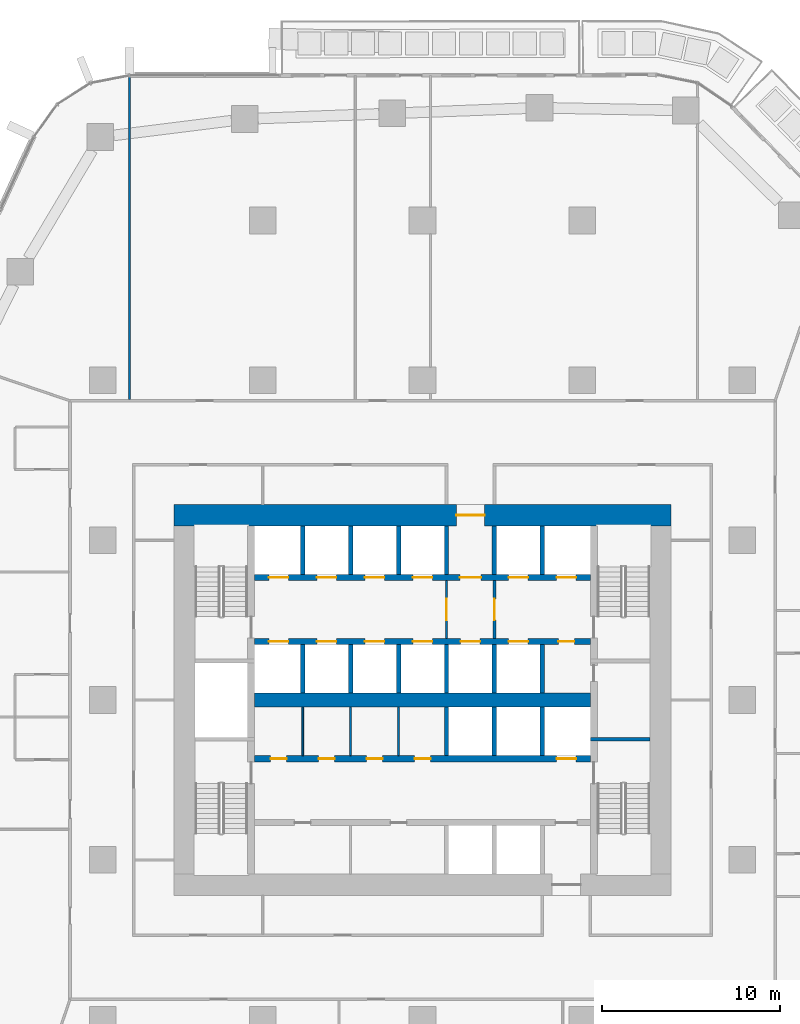
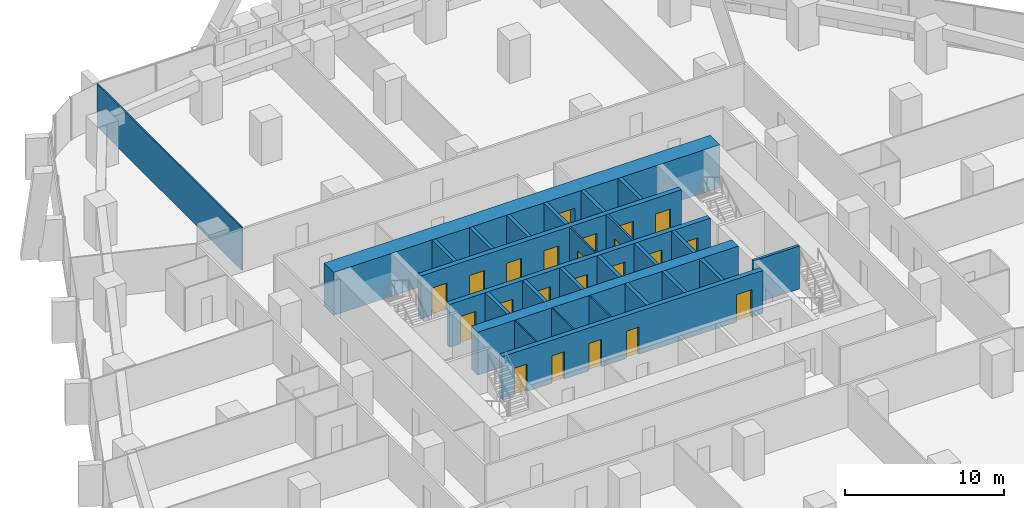
# One storey, part 15 of 26: 27 walls, 22 doors, 22 openings.
"""IFC4 building model written with IfcOpenShell, lengths in metres."""

from ifc_helpers import new_model, si_unit, direction, frame, frame_2d, origin, place, context, subcontext, project, spatial, rectangle, extrude, material, layer, layer_set, type_object, element, fill, save


model = new_model("IFC4")

# Units and contexts
model_context = context("Model", 3, precision=1e-05, world=origin(), true_north=direction((0.0, 1.0)))
body_context = subcontext(model_context, "Body", "Model", "MODEL_VIEW")
ifc_project = project(units=[si_unit("LENGTHUNIT", "METRE"), si_unit("AREAUNIT", "SQUARE_METRE"), si_unit("VOLUMEUNIT", "CUBIC_METRE"), si_unit("PLANEANGLEUNIT", "RADIAN"), si_unit("MASSUNIT", "GRAM", prefix="KILO")], contexts=[model_context])

# Site, building, storey
site_placement = place(None, origin())
site = spatial("IfcSite", under=ifc_project, at=site_placement, CompositionType="ELEMENT")
building_placement = place(site_placement, origin())
building = spatial("IfcBuilding", under=site, at=building_placement, Name="Dongbaek Canopy Tower", CompositionType="ELEMENT")
storey_placement = place(building_placement, frame((0.0, 0.0, 73.60009765625)))
storey = spatial("IfcBuildingStorey", under=building, at=storey_placement, Name="L14", CompositionType="ELEMENT", Elevation=73.60009765625)

# Wall
ifc_material_1 = material(Name="Concrete C60/75", Category="concrete")
ifc_layer_1 = layer(ifc_material_1, 0.800048828125)
ifc_layer_set_1 = layer_set([ifc_layer_1], Name="Core central wall 800 Concrete C60/75")
wall_type_1 = type_object("IfcWallType", Name="Core central wall 800 Concrete C60/75", PredefinedType="SHEAR", material=ifc_layer_set_1)
wall_1_placement = place(storey_placement, frame((-9.449951171875, 0.0, 0.0), z_axis=(0.0, 0.0, 1.0), x_axis=(1.0, 0.0, 0.0)))
element("IfcWall", 1, at=wall_1_placement, inside=storey, type_object=wall_type_1, Name="Core wall", PredefinedType="SHEAR", context=body_context, shape_type="SweptSolid", body=[
    extrude(rectangle(XDim=18.89990234375, YDim=0.800048828125, at=frame_2d((9.449951171875, 0.0))), origin(), (0.0, 0.0, 1.0), 3.2998046875),
])

# Wall, openings, doors
ifc_material_2 = material(Name="Concrete C60/75", Category="concrete")
ifc_layer_2 = layer(ifc_material_2, 0.35009765625)
ifc_layer_set_2 = layer_set([ifc_layer_2], Name="Core lobby wall 350 Concrete C60/75")
wall_type_2 = type_object("IfcWallType", Name="Core lobby wall 350 Concrete C60/75", PredefinedType="SHEAR", material=ifc_layer_set_2)
wall_2_placement = place(storey_placement, frame((-9.449951171875, 6.89990234375, 0.0), z_axis=(0.0, 0.0, 1.0), x_axis=(1.0, 0.0, 0.0)))
wall_2 = element("IfcWall", 2, at=wall_2_placement, inside=storey, type_object=wall_type_2, Name="Core wall", PredefinedType="SHEAR", context=body_context, shape_type="SweptSolid", body=[
    extrude(rectangle(XDim=18.89990234375, YDim=0.35009765625, at=frame_2d((9.449951171875, 0.0))), origin(), (0.0, 0.0, 1.0), 3.2998046875),
])
opening_1_placement = place(wall_2_placement, frame((0.800048828125, 0.0, 0.0)))
opening_1 = element("IfcOpeningElement", 3, at=opening_1_placement, cuts=wall_2, Name="Opening L14-D028", PredefinedType="OPENING", context=body_context, shape_type="SweptSolid", body=[
    extrude(rectangle(XDim=1.10009765625, YDim=2.10009765625, at=frame_2d((0.550048828125, 1.050048828125))), frame((0.0, 0.18505859375, 0.0), z_axis=(0.0, -1.0, 0.0), x_axis=(1.0, 0.0, 0.0)), (0.0, 0.0, 1.0), 0.3701171875),
])
opening_2_placement = place(wall_2_placement, frame((3.5, 0.0, 0.0)))
opening_2 = element("IfcOpeningElement", 4, at=opening_2_placement, cuts=wall_2, Name="Opening L14-D029", PredefinedType="OPENING", context=body_context, shape_type="SweptSolid", body=[
    extrude(rectangle(XDim=1.10009765625, YDim=2.10009765625, at=frame_2d((0.550048828125, 1.050048828125))), frame((0.0, 0.18505859375, 0.0), z_axis=(0.0, -1.0, 0.0), x_axis=(1.0, 0.0, 0.0)), (0.0, 0.0, 1.0), 0.3701171875),
])
opening_3_placement = place(wall_2_placement, frame((6.199951171875, 0.0, 0.0)))
opening_3 = element("IfcOpeningElement", 5, at=opening_3_placement, cuts=wall_2, Name="Opening L14-D030", PredefinedType="OPENING", context=body_context, shape_type="SweptSolid", body=[
    extrude(rectangle(XDim=1.10009765625, YDim=2.10009765625, at=frame_2d((0.550048828125, 1.050048828125))), frame((0.0, 0.18505859375, 0.0), z_axis=(0.0, -1.0, 0.0), x_axis=(1.0, 0.0, 0.0)), (0.0, 0.0, 1.0), 0.3701171875),
])
opening_4_placement = place(wall_2_placement, frame((8.89990234375, 0.0, 0.0)))
opening_4 = element("IfcOpeningElement", 6, at=opening_4_placement, cuts=wall_2, Name="Opening L14-D031", PredefinedType="OPENING", context=body_context, shape_type="SweptSolid", body=[
    extrude(rectangle(XDim=1.10009765625, YDim=2.10009765625, at=frame_2d((0.550048828125, 1.050048828125))), frame((0.0, 0.18505859375, 0.0), z_axis=(0.0, -1.0, 0.0), x_axis=(1.0, 0.0, 0.0)), (0.0, 0.0, 1.0), 0.3701171875),
])
opening_5_placement = place(wall_2_placement, frame((11.550048828125, 0.0, 0.0)))
opening_5 = element("IfcOpeningElement", 7, at=opening_5_placement, cuts=wall_2, Name="Opening L14-D033", PredefinedType="OPENING", context=body_context, shape_type="SweptSolid", body=[
    extrude(rectangle(XDim=1.199951171875, YDim=2.10009765625, at=frame_2d((0.60009765625, 1.050048828125))), frame((0.0, 0.18505859375, 0.0), z_axis=(0.0, -1.0, 0.0), x_axis=(1.0, 0.0, 0.0)), (0.0, 0.0, 1.0), 0.3701171875),
])
opening_6_placement = place(wall_2_placement, frame((14.300048828125, 0.0, 0.0)))
opening_6 = element("IfcOpeningElement", 8, at=opening_6_placement, cuts=wall_2, Name="Opening L14-D034", PredefinedType="OPENING", context=body_context, shape_type="SweptSolid", body=[
    extrude(rectangle(XDim=1.10009765625, YDim=2.10009765625, at=frame_2d((0.550048828125, 1.050048828125))), frame((0.0, 0.18505859375, 0.0), z_axis=(0.0, -1.0, 0.0), x_axis=(1.0, 0.0, 0.0)), (0.0, 0.0, 1.0), 0.3701171875),
])
opening_7_placement = place(wall_2_placement, frame((17.0, 0.0, 0.0)))
opening_7 = element("IfcOpeningElement", 9, at=opening_7_placement, cuts=wall_2, Name="Opening L14-D035", PredefinedType="OPENING", context=body_context, shape_type="SweptSolid", body=[
    extrude(rectangle(XDim=1.10009765625, YDim=2.10009765625, at=frame_2d((0.550048828125, 1.050048828125))), frame((0.0, 0.18505859375, 0.0), z_axis=(0.0, -1.0, 0.0), x_axis=(1.0, 0.0, 0.0)), (0.0, 0.0, 1.0), 0.3701171875),
])
ifc_material_3 = material(Name="Steel", Category="steel")
door_type_1 = type_object("IfcDoorType", Name="Fire lobby door 1200 x 2100", OperationType="SINGLE_SWING_LEFT", PredefinedType="DOOR", material=ifc_material_3)
door_1_placement = place(opening_5_placement, origin())
door_1 = element("IfcDoor", 10, at=door_1_placement, inside=storey, type_object=door_type_1, Name="Door L14-D033", OperationType="SINGLE_SWING_LEFT", OverallHeight=2.10009765625, OverallWidth=1.199951171875, PredefinedType="DOOR", context=body_context, shape_type="SweptSolid", body=[
    extrude(rectangle(XDim=1.199951171875, YDim=2.10009765625, at=frame_2d((0.60009765625, 1.050048828125))), frame((0.0, 0.02490234375, 0.0), z_axis=(0.0, -1.0, 0.0), x_axis=(1.0, 0.0, 0.0)), (0.0, 0.0, 1.0), 0.050048828125),
])
fill(opening_5, door_1)
ifc_material_4 = material(Name="Stainless steel", Category="steel")
door_type_2 = type_object("IfcDoorType", Name="Lift landing door 1100 x 2100", OperationType="DOUBLE_DOOR_SLIDING", PredefinedType="DOOR", material=ifc_material_4)
door_2_placement = place(opening_1_placement, origin())
door_2 = element("IfcDoor", 11, at=door_2_placement, inside=storey, type_object=door_type_2, Name="Landing door LR1", OperationType="DOUBLE_DOOR_SLIDING", OverallHeight=2.10009765625, OverallWidth=1.10009765625, PredefinedType="DOOR", context=body_context, shape_type="SweptSolid", body=[
    extrude(rectangle(XDim=1.10009765625, YDim=2.10009765625, at=frame_2d((0.550048828125, 1.050048828125))), frame((0.0, 0.02490234375, 0.0), z_axis=(0.0, -1.0, 0.0), x_axis=(1.0, 0.0, 0.0)), (0.0, 0.0, 1.0), 0.050048828125),
])
fill(opening_1, door_2)
door_3_placement = place(opening_2_placement, origin())
door_3 = element("IfcDoor", 12, at=door_3_placement, inside=storey, type_object=door_type_2, Name="Landing door LR2", OperationType="DOUBLE_DOOR_SLIDING", OverallHeight=2.10009765625, OverallWidth=1.10009765625, PredefinedType="DOOR", context=body_context, shape_type="SweptSolid", body=[
    extrude(rectangle(XDim=1.10009765625, YDim=2.10009765625, at=frame_2d((0.550048828125, 1.050048828125))), frame((0.0, 0.02490234375, 0.0), z_axis=(0.0, -1.0, 0.0), x_axis=(1.0, 0.0, 0.0)), (0.0, 0.0, 1.0), 0.050048828125),
])
fill(opening_2, door_3)
door_4_placement = place(opening_3_placement, origin())
door_4 = element("IfcDoor", 13, at=door_4_placement, inside=storey, type_object=door_type_2, Name="Landing door LR3", OperationType="DOUBLE_DOOR_SLIDING", OverallHeight=2.10009765625, OverallWidth=1.10009765625, PredefinedType="DOOR", context=body_context, shape_type="SweptSolid", body=[
    extrude(rectangle(XDim=1.10009765625, YDim=2.10009765625, at=frame_2d((0.550048828125, 1.050048828125))), frame((0.0, 0.02490234375, 0.0), z_axis=(0.0, -1.0, 0.0), x_axis=(1.0, 0.0, 0.0)), (0.0, 0.0, 1.0), 0.050048828125),
])
fill(opening_3, door_4)
door_5_placement = place(opening_4_placement, origin())
door_5 = element("IfcDoor", 14, at=door_5_placement, inside=storey, type_object=door_type_2, Name="Landing door LR4", OperationType="DOUBLE_DOOR_SLIDING", OverallHeight=2.10009765625, OverallWidth=1.10009765625, PredefinedType="DOOR", context=body_context, shape_type="SweptSolid", body=[
    extrude(rectangle(XDim=1.10009765625, YDim=2.10009765625, at=frame_2d((0.550048828125, 1.050048828125))), frame((0.0, 0.02490234375, 0.0), z_axis=(0.0, -1.0, 0.0), x_axis=(1.0, 0.0, 0.0)), (0.0, 0.0, 1.0), 0.050048828125),
])
fill(opening_4, door_5)
door_6_placement = place(opening_6_placement, origin())
door_6 = element("IfcDoor", 15, at=door_6_placement, inside=storey, type_object=door_type_2, Name="Landing door FF1", OperationType="DOUBLE_DOOR_SLIDING", OverallHeight=2.10009765625, OverallWidth=1.10009765625, PredefinedType="DOOR", context=body_context, shape_type="SweptSolid", body=[
    extrude(rectangle(XDim=1.10009765625, YDim=2.10009765625, at=frame_2d((0.550048828125, 1.050048828125))), frame((0.0, 0.02490234375, 0.0), z_axis=(0.0, -1.0, 0.0), x_axis=(1.0, 0.0, 0.0)), (0.0, 0.0, 1.0), 0.050048828125),
])
fill(opening_6, door_6)
door_7_placement = place(opening_7_placement, origin())
door_7 = element("IfcDoor", 16, at=door_7_placement, inside=storey, type_object=door_type_2, Name="Landing door FF2", OperationType="DOUBLE_DOOR_SLIDING", OverallHeight=2.10009765625, OverallWidth=1.10009765625, PredefinedType="DOOR", context=body_context, shape_type="SweptSolid", body=[
    extrude(rectangle(XDim=1.10009765625, YDim=2.10009765625, at=frame_2d((0.550048828125, 1.050048828125))), frame((0.0, 0.02490234375, 0.0), z_axis=(0.0, -1.0, 0.0), x_axis=(1.0, 0.0, 0.0)), (0.0, 0.0, 1.0), 0.050048828125),
])
fill(opening_7, door_7)

wall_3_placement = place(storey_placement, frame((9.449951171875, 3.300048828125, 0.0), z_axis=(0.0, 0.0, 1.0), x_axis=(-1.0, 0.0, 0.0)))
wall_3 = element("IfcWall", 17, at=wall_3_placement, inside=storey, type_object=wall_type_2, Name="Core wall", PredefinedType="SHEAR", context=body_context, shape_type="SweptSolid", body=[
    extrude(rectangle(XDim=18.89990234375, YDim=0.35009765625, at=frame_2d((9.449951171875, 0.0))), origin(), (0.0, 0.0, 1.0), 3.2998046875),
])
opening_8_placement = place(wall_3_placement, frame((17.0, 0.0, 0.0)))
opening_8 = element("IfcOpeningElement", 18, at=opening_8_placement, cuts=wall_3, Name="Opening L14-D036", PredefinedType="OPENING", context=body_context, shape_type="SweptSolid", body=[
    extrude(rectangle(XDim=1.10009765625, YDim=2.10009765625, at=frame_2d((0.550048828125, 1.050048828125))), frame((0.0, 0.18505859375, 0.0), z_axis=(0.0, -1.0, 0.0), x_axis=(1.0, 0.0, 0.0)), (0.0, 0.0, 1.0), 0.3701171875),
])
opening_9_placement = place(wall_3_placement, frame((14.300048828125, 0.0, 0.0)))
opening_9 = element("IfcOpeningElement", 19, at=opening_9_placement, cuts=wall_3, Name="Opening L14-D037", PredefinedType="OPENING", context=body_context, shape_type="SweptSolid", body=[
    extrude(rectangle(XDim=1.10009765625, YDim=2.10009765625, at=frame_2d((0.550048828125, 1.050048828125))), frame((0.0, 0.18505859375, 0.0), z_axis=(0.0, -1.0, 0.0), x_axis=(1.0, 0.0, 0.0)), (0.0, 0.0, 1.0), 0.3701171875),
])
opening_10_placement = place(wall_3_placement, frame((11.60009765625, 0.0, 0.0)))
opening_10 = element("IfcOpeningElement", 20, at=opening_10_placement, cuts=wall_3, Name="Opening L14-D038", PredefinedType="OPENING", context=body_context, shape_type="SweptSolid", body=[
    extrude(rectangle(XDim=1.10009765625, YDim=2.10009765625, at=frame_2d((0.550048828125, 1.050048828125))), frame((0.0, 0.18505859375, 0.0), z_axis=(0.0, -1.0, 0.0), x_axis=(1.0, 0.0, 0.0)), (0.0, 0.0, 1.0), 0.3701171875),
])
opening_11_placement = place(wall_3_placement, frame((8.89990234375, 0.0, 0.0)))
opening_11 = element("IfcOpeningElement", 21, at=opening_11_placement, cuts=wall_3, Name="Opening L14-D039", PredefinedType="OPENING", context=body_context, shape_type="SweptSolid", body=[
    extrude(rectangle(XDim=1.10009765625, YDim=2.10009765625, at=frame_2d((0.550048828125, 1.050048828125))), frame((0.0, 0.18505859375, 0.0), z_axis=(0.0, -1.0, 0.0), x_axis=(1.0, 0.0, 0.0)), (0.0, 0.0, 1.0), 0.3701171875),
])
opening_12_placement = place(wall_3_placement, frame((6.199951171875, 0.0, 0.0)))
opening_12 = element("IfcOpeningElement", 22, at=opening_12_placement, cuts=wall_3, Name="Opening L14-D040", PredefinedType="OPENING", context=body_context, shape_type="SweptSolid", body=[
    extrude(rectangle(XDim=1.10009765625, YDim=2.10009765625, at=frame_2d((0.550048828125, 1.050048828125))), frame((0.0, 0.18505859375, 0.0), z_axis=(0.0, -1.0, 0.0), x_axis=(1.0, 0.0, 0.0)), (0.0, 0.0, 1.0), 0.3701171875),
])
opening_13_placement = place(wall_3_placement, frame((3.5, 0.0, 0.0)))
opening_13 = element("IfcOpeningElement", 23, at=opening_13_placement, cuts=wall_3, Name="Opening L14-D041", PredefinedType="OPENING", context=body_context, shape_type="SweptSolid", body=[
    extrude(rectangle(XDim=1.10009765625, YDim=2.10009765625, at=frame_2d((0.550048828125, 1.050048828125))), frame((0.0, 0.18505859375, 0.0), z_axis=(0.0, -1.0, 0.0), x_axis=(1.0, 0.0, 0.0)), (0.0, 0.0, 1.0), 0.3701171875),
])
opening_14_placement = place(wall_3_placement, frame((0.89990234375, 0.0, 0.0)))
opening_14 = element("IfcOpeningElement", 24, at=opening_14_placement, cuts=wall_3, Name="Opening L14-D042", PredefinedType="OPENING", context=body_context, shape_type="SweptSolid", body=[
    extrude(rectangle(XDim=0.89990234375, YDim=2.10009765625, at=frame_2d((0.449951171875, 1.050048828125))), frame((0.0, 0.18505859375, 0.0), z_axis=(0.0, -1.0, 0.0), x_axis=(1.0, 0.0, 0.0)), (0.0, 0.0, 1.0), 0.3701171875),
])
ifc_material_5 = material(Name="Steel", Category="steel")
door_type_3 = type_object("IfcDoorType", Name="Core room door 900 x 2100", OperationType="SINGLE_SWING_LEFT", PredefinedType="DOOR", material=ifc_material_5)
door_8_placement = place(opening_14_placement, origin())
door_8 = element("IfcDoor", 25, at=door_8_placement, inside=storey, type_object=door_type_3, Name="Door L14-D042", OperationType="SINGLE_SWING_LEFT", OverallHeight=2.10009765625, OverallWidth=0.89990234375, PredefinedType="DOOR", context=body_context, shape_type="SweptSolid", body=[
    extrude(rectangle(XDim=0.89990234375, YDim=2.10009765625, at=frame_2d((0.449951171875, 1.050048828125))), frame((0.0, 0.02490234375, 0.0), z_axis=(0.0, -1.0, 0.0), x_axis=(1.0, 0.0, 0.0)), (0.0, 0.0, 1.0), 0.050048828125),
])
fill(opening_14, door_8)
door_9_placement = place(opening_8_placement, origin())
door_9 = element("IfcDoor", 26, at=door_9_placement, inside=storey, type_object=door_type_2, Name="Landing door LR5", OperationType="DOUBLE_DOOR_SLIDING", OverallHeight=2.10009765625, OverallWidth=1.10009765625, PredefinedType="DOOR", context=body_context, shape_type="SweptSolid", body=[
    extrude(rectangle(XDim=1.10009765625, YDim=2.10009765625, at=frame_2d((0.550048828125, 1.050048828125))), frame((0.0, 0.02490234375, 0.0), z_axis=(0.0, -1.0, 0.0), x_axis=(1.0, 0.0, 0.0)), (0.0, 0.0, 1.0), 0.050048828125),
])
fill(opening_8, door_9)
door_10_placement = place(opening_9_placement, origin())
door_10 = element("IfcDoor", 27, at=door_10_placement, inside=storey, type_object=door_type_2, Name="Landing door LR6", OperationType="DOUBLE_DOOR_SLIDING", OverallHeight=2.10009765625, OverallWidth=1.10009765625, PredefinedType="DOOR", context=body_context, shape_type="SweptSolid", body=[
    extrude(rectangle(XDim=1.10009765625, YDim=2.10009765625, at=frame_2d((0.550048828125, 1.050048828125))), frame((0.0, 0.02490234375, 0.0), z_axis=(0.0, -1.0, 0.0), x_axis=(1.0, 0.0, 0.0)), (0.0, 0.0, 1.0), 0.050048828125),
])
fill(opening_9, door_10)
door_11_placement = place(opening_10_placement, origin())
door_11 = element("IfcDoor", 28, at=door_11_placement, inside=storey, type_object=door_type_2, Name="Landing door LR7", OperationType="DOUBLE_DOOR_SLIDING", OverallHeight=2.10009765625, OverallWidth=1.10009765625, PredefinedType="DOOR", context=body_context, shape_type="SweptSolid", body=[
    extrude(rectangle(XDim=1.10009765625, YDim=2.10009765625, at=frame_2d((0.550048828125, 1.050048828125))), frame((0.0, 0.02490234375, 0.0), z_axis=(0.0, -1.0, 0.0), x_axis=(1.0, 0.0, 0.0)), (0.0, 0.0, 1.0), 0.050048828125),
])
fill(opening_10, door_11)
door_12_placement = place(opening_11_placement, origin())
door_12 = element("IfcDoor", 29, at=door_12_placement, inside=storey, type_object=door_type_2, Name="Landing door LR8", OperationType="DOUBLE_DOOR_SLIDING", OverallHeight=2.10009765625, OverallWidth=1.10009765625, PredefinedType="DOOR", context=body_context, shape_type="SweptSolid", body=[
    extrude(rectangle(XDim=1.10009765625, YDim=2.10009765625, at=frame_2d((0.550048828125, 1.050048828125))), frame((0.0, 0.02490234375, 0.0), z_axis=(0.0, -1.0, 0.0), x_axis=(1.0, 0.0, 0.0)), (0.0, 0.0, 1.0), 0.050048828125),
])
fill(opening_11, door_12)
door_13_placement = place(opening_12_placement, origin())
door_13 = element("IfcDoor", 30, at=door_13_placement, inside=storey, type_object=door_type_2, Name="Landing door SV1", OperationType="DOUBLE_DOOR_SLIDING", OverallHeight=2.10009765625, OverallWidth=1.10009765625, PredefinedType="DOOR", context=body_context, shape_type="SweptSolid", body=[
    extrude(rectangle(XDim=1.10009765625, YDim=2.10009765625, at=frame_2d((0.550048828125, 1.050048828125))), frame((0.0, 0.02490234375, 0.0), z_axis=(0.0, -1.0, 0.0), x_axis=(1.0, 0.0, 0.0)), (0.0, 0.0, 1.0), 0.050048828125),
])
fill(opening_12, door_13)
door_14_placement = place(opening_13_placement, origin())
door_14 = element("IfcDoor", 31, at=door_14_placement, inside=storey, type_object=door_type_2, Name="Landing door FF3", OperationType="DOUBLE_DOOR_SLIDING", OverallHeight=2.10009765625, OverallWidth=1.10009765625, PredefinedType="DOOR", context=body_context, shape_type="SweptSolid", body=[
    extrude(rectangle(XDim=1.10009765625, YDim=2.10009765625, at=frame_2d((0.550048828125, 1.050048828125))), frame((0.0, 0.02490234375, 0.0), z_axis=(0.0, -1.0, 0.0), x_axis=(1.0, 0.0, 0.0)), (0.0, 0.0, 1.0), 0.050048828125),
])
fill(opening_13, door_14)

wall_4_placement = place(storey_placement, frame((-9.449951171875, -3.300048828125, 0.0), z_axis=(0.0, 0.0, 1.0), x_axis=(1.0, 0.0, 0.0)))
wall_4 = element("IfcWall", 32, at=wall_4_placement, inside=storey, type_object=wall_type_2, Name="Core wall", PredefinedType="SHEAR", context=body_context, shape_type="SweptSolid", body=[
    extrude(rectangle(XDim=18.89990234375, YDim=0.35009765625, at=frame_2d((9.449951171875, 0.0))), origin(), (0.0, 0.0, 1.0), 3.2998046875),
])
opening_15_placement = place(wall_4_placement, frame((17.0, 0.0, 0.0)))
opening_15 = element("IfcOpeningElement", 33, at=opening_15_placement, cuts=wall_4, Name="Opening L14-D043", PredefinedType="OPENING", context=body_context, shape_type="SweptSolid", body=[
    extrude(rectangle(XDim=1.10009765625, YDim=2.10009765625, at=frame_2d((0.550048828125, 1.050048828125))), frame((0.0, 0.18505859375, 0.0), z_axis=(0.0, -1.0, 0.0), x_axis=(1.0, 0.0, 0.0)), (0.0, 0.0, 1.0), 0.3701171875),
])
opening_16_placement = place(wall_4_placement, frame((0.89990234375, 0.0, 0.0)))
opening_16 = element("IfcOpeningElement", 34, at=opening_16_placement, cuts=wall_4, Name="Opening L14-D046", PredefinedType="OPENING", context=body_context, shape_type="SweptSolid", body=[
    extrude(rectangle(XDim=0.89990234375, YDim=2.10009765625, at=frame_2d((0.449951171875, 1.050048828125))), frame((0.0, 0.18505859375, 0.0), z_axis=(0.0, -1.0, 0.0), x_axis=(1.0, 0.0, 0.0)), (0.0, 0.0, 1.0), 0.3701171875),
])
opening_17_placement = place(wall_4_placement, frame((3.60009765625, 0.0, 0.0)))
opening_17 = element("IfcOpeningElement", 35, at=opening_17_placement, cuts=wall_4, Name="Opening L14-D047", PredefinedType="OPENING", context=body_context, shape_type="SweptSolid", body=[
    extrude(rectangle(XDim=0.89990234375, YDim=2.10009765625, at=frame_2d((0.449951171875, 1.050048828125))), frame((0.0, 0.18505859375, 0.0), z_axis=(0.0, -1.0, 0.0), x_axis=(1.0, 0.0, 0.0)), (0.0, 0.0, 1.0), 0.3701171875),
])
opening_18_placement = place(wall_4_placement, frame((6.300048828125, 0.0, 0.0)))
opening_18 = element("IfcOpeningElement", 36, at=opening_18_placement, cuts=wall_4, Name="Opening L14-D048", PredefinedType="OPENING", context=body_context, shape_type="SweptSolid", body=[
    extrude(rectangle(XDim=0.89990234375, YDim=2.10009765625, at=frame_2d((0.449951171875, 1.050048828125))), frame((0.0, 0.18505859375, 0.0), z_axis=(0.0, -1.0, 0.0), x_axis=(1.0, 0.0, 0.0)), (0.0, 0.0, 1.0), 0.3701171875),
])
opening_19_placement = place(wall_4_placement, frame((9.0, 0.0, 0.0)))
opening_19 = element("IfcOpeningElement", 37, at=opening_19_placement, cuts=wall_4, Name="Opening L14-D049", PredefinedType="OPENING", context=body_context, shape_type="SweptSolid", body=[
    extrude(rectangle(XDim=0.89990234375, YDim=2.10009765625, at=frame_2d((0.449951171875, 1.050048828125))), frame((0.0, 0.18505859375, 0.0), z_axis=(0.0, -1.0, 0.0), x_axis=(1.0, 0.0, 0.0)), (0.0, 0.0, 1.0), 0.3701171875),
])
door_15_placement = place(opening_16_placement, origin())
door_15 = element("IfcDoor", 38, at=door_15_placement, inside=storey, type_object=door_type_3, Name="Door L14-D046", OperationType="SINGLE_SWING_RIGHT", OverallHeight=2.10009765625, OverallWidth=0.89990234375, PredefinedType="DOOR", context=body_context, shape_type="SweptSolid", body=[
    extrude(rectangle(XDim=0.89990234375, YDim=2.10009765625, at=frame_2d((0.449951171875, 1.050048828125))), frame((0.0, 0.02490234375, 0.0), z_axis=(0.0, -1.0, 0.0), x_axis=(1.0, 0.0, 0.0)), (0.0, 0.0, 1.0), 0.050048828125),
])
fill(opening_16, door_15)
door_16_placement = place(opening_17_placement, origin())
door_16 = element("IfcDoor", 39, at=door_16_placement, inside=storey, type_object=door_type_3, Name="Door L14-D047", OperationType="SINGLE_SWING_LEFT", OverallHeight=2.10009765625, OverallWidth=0.89990234375, PredefinedType="DOOR", context=body_context, shape_type="SweptSolid", body=[
    extrude(rectangle(XDim=0.89990234375, YDim=2.10009765625, at=frame_2d((0.449951171875, 1.050048828125))), frame((0.0, 0.02490234375, 0.0), z_axis=(0.0, -1.0, 0.0), x_axis=(1.0, 0.0, 0.0)), (0.0, 0.0, 1.0), 0.050048828125),
])
fill(opening_17, door_16)
door_17_placement = place(opening_18_placement, origin())
door_17 = element("IfcDoor", 40, at=door_17_placement, inside=storey, type_object=door_type_3, Name="Door L14-D048", OperationType="SINGLE_SWING_RIGHT", OverallHeight=2.10009765625, OverallWidth=0.89990234375, PredefinedType="DOOR", context=body_context, shape_type="SweptSolid", body=[
    extrude(rectangle(XDim=0.89990234375, YDim=2.10009765625, at=frame_2d((0.449951171875, 1.050048828125))), frame((0.0, 0.02490234375, 0.0), z_axis=(0.0, -1.0, 0.0), x_axis=(1.0, 0.0, 0.0)), (0.0, 0.0, 1.0), 0.050048828125),
])
fill(opening_18, door_17)
door_18_placement = place(opening_19_placement, origin())
door_18 = element("IfcDoor", 41, at=door_18_placement, inside=storey, type_object=door_type_3, Name="Door L14-D049", OperationType="SINGLE_SWING_LEFT", OverallHeight=2.10009765625, OverallWidth=0.89990234375, PredefinedType="DOOR", context=body_context, shape_type="SweptSolid", body=[
    extrude(rectangle(XDim=0.89990234375, YDim=2.10009765625, at=frame_2d((0.449951171875, 1.050048828125))), frame((0.0, 0.02490234375, 0.0), z_axis=(0.0, -1.0, 0.0), x_axis=(1.0, 0.0, 0.0)), (0.0, 0.0, 1.0), 0.050048828125),
])
fill(opening_19, door_18)
door_19_placement = place(opening_15_placement, origin())
door_19 = element("IfcDoor", 42, at=door_19_placement, inside=storey, type_object=door_type_2, Name="Landing door SV2", OperationType="DOUBLE_DOOR_SLIDING", OverallHeight=2.10009765625, OverallWidth=1.10009765625, PredefinedType="DOOR", context=body_context, shape_type="SweptSolid", body=[
    extrude(rectangle(XDim=1.10009765625, YDim=2.10009765625, at=frame_2d((0.550048828125, 1.050048828125))), frame((0.0, 0.02490234375, 0.0), z_axis=(0.0, -1.0, 0.0), x_axis=(1.0, 0.0, 0.0)), (0.0, 0.0, 1.0), 0.050048828125),
])
fill(opening_15, door_19)

# Wall, opening, door
ifc_material_6 = material(Name="Concrete C60/75", Category="concrete")
ifc_layer_3 = layer(ifc_material_6, 1.199951171875)
ifc_layer_set_3 = layer_set([ifc_layer_3], Name="Core outer wall 1200 Concrete C60/75")
wall_type_3 = type_object("IfcWallType", Name="Core outer wall 1200 Concrete C60/75", PredefinedType="SHEAR", material=ifc_layer_set_3)
wall_5_placement = place(storey_placement, frame((-14.0, 10.39990234375, 0.0), z_axis=(0.0, 0.0, 1.0), x_axis=(1.0, 0.0, 0.0)))
wall_5 = element("IfcWall", 43, at=wall_5_placement, inside=storey, type_object=wall_type_3, Name="Core wall", PredefinedType="SHEAR", context=body_context, shape_type="SweptSolid", body=[
    extrude(rectangle(XDim=28.0, YDim=1.199951171875, at=frame_2d((14.0, 0.0))), origin(), (0.0, 0.0, 1.0), 3.2998046875),
])
opening_20_placement = place(wall_5_placement, frame((15.89990234375, 0.0, 0.0)))
opening_20 = element("IfcOpeningElement", 44, at=opening_20_placement, cuts=wall_5, Name="Opening L14-D032", PredefinedType="OPENING", context=body_context, shape_type="SweptSolid", body=[
    extrude(rectangle(XDim=1.60009765625, YDim=2.10009765625, at=frame_2d((0.800048828125, 1.050048828125))), frame((0.0, 0.60986328125, 0.0), z_axis=(0.0, -1.0, 0.0), x_axis=(1.0, 0.0, 0.0)), (0.0, 0.0, 1.0), 1.219970703125),
])
ifc_material_7 = material(Name="Steel", Category="steel")
door_type_4 = type_object("IfcDoorType", Name="Core exit door 1600 x 2100", OperationType="DOUBLE_DOOR_SINGLE_SWING", PredefinedType="DOOR", material=ifc_material_7)
door_20_placement = place(opening_20_placement, origin())
door_20 = element("IfcDoor", 45, at=door_20_placement, inside=storey, type_object=door_type_4, Name="Core exit door", OperationType="DOUBLE_DOOR_SINGLE_SWING", OverallHeight=2.10009765625, OverallWidth=1.60009765625, PredefinedType="DOOR", context=body_context, shape_type="SweptSolid", body=[
    extrude(rectangle(XDim=1.60009765625, YDim=2.10009765625, at=frame_2d((0.800048828125, 1.050048828125))), frame((0.0, 0.02490234375, 0.0), z_axis=(0.0, -1.0, 0.0), x_axis=(1.0, 0.0, 0.0)), (0.0, 0.0, 1.0), 0.050048828125),
])
fill(opening_20, door_20)

ifc_material_8 = material(Name="Gypsum board partition, steel stud, 2 x 15 mm fire board", Category="steel")
ifc_layer_4 = layer(ifc_material_8, 0.14990234375)
ifc_layer_set_4 = layer_set([ifc_layer_4], Name="Fire-rated partition 150 gypsum board")
wall_type_4 = type_object("IfcWallType", Name="Fire-rated partition 150 gypsum board", PredefinedType="PARTITIONING", material=ifc_layer_set_4)
wall_6_placement = place(storey_placement, frame((4.050048828125, 6.72509765625, 0.0), z_axis=(0.0, 0.0, 1.0), x_axis=(0.0, -1.0, 0.0)))
wall_6 = element("IfcWall", 46, at=wall_6_placement, inside=storey, type_object=wall_type_4, Name="Fire lobby partition", PredefinedType="PARTITIONING", context=body_context, shape_type="SweptSolid", body=[
    extrude(rectangle(XDim=3.25, YDim=0.14990234375, at=frame_2d((1.625, 0.0))), origin(), (0.0, 0.0, 1.0), 3.2998046875),
])
opening_21_placement = place(wall_6_placement, frame((1.02490234375, 0.0, 0.0)))
opening_21 = element("IfcOpeningElement", 47, at=opening_21_placement, cuts=wall_6, Name="Opening L14-D057", PredefinedType="OPENING", context=body_context, shape_type="SweptSolid", body=[
    extrude(rectangle(XDim=1.199951171875, YDim=2.10009765625, at=frame_2d((0.60009765625, 1.050048828125))), frame((0.0, 0.0849609375, 0.0), z_axis=(0.0, -1.0, 0.0), x_axis=(1.0, 0.0, 0.0)), (0.0, 0.0, 1.0), 0.169921875),
])
door_21_placement = place(opening_21_placement, origin())
door_21 = element("IfcDoor", 48, at=door_21_placement, inside=storey, type_object=door_type_1, Name="Door L14-D057", OperationType="SINGLE_SWING_RIGHT", OverallHeight=2.10009765625, OverallWidth=1.199951171875, PredefinedType="DOOR", context=body_context, shape_type="SweptSolid", body=[
    extrude(rectangle(XDim=1.199951171875, YDim=2.10009765625, at=frame_2d((0.60009765625, 1.050048828125))), frame((0.0, 0.02490234375, 0.0), z_axis=(0.0, -1.0, 0.0), x_axis=(1.0, 0.0, 0.0)), (0.0, 0.0, 1.0), 0.050048828125),
])
fill(opening_21, door_21)

# Walls
ifc_material_9 = material(Name="Concrete C40/50", Category="concrete")
ifc_layer_5 = layer(ifc_material_9, 0.25)
ifc_layer_set_5 = layer_set([ifc_layer_5], Name="Lift shaft wall 250 Concrete C40/50")
wall_type_5 = type_object("IfcWallType", Name="Lift shaft wall 250 Concrete C40/50", PredefinedType="SOLIDWALL", material=ifc_layer_set_5)
for number, where, z_axis, x_axis, name in (
    (49, (6.75, -3.125, 0.0), (0.0, 0.0, 1.0), (0.0, 1.0, 0.0), "Lift shaft wall"),
    (50, (6.75, 0.39990234375, 0.0), (0.0, 0.0, 1.0), (0.0, 1.0, 0.0), "Lift shaft wall"),
    (51, (6.75, 7.074951171875, 0.0), (0.0, 0.0, 1.0), (0.0, 1.0, 0.0), "Lift shaft wall"),
    (52, (4.050048828125, -3.125, 0.0), (0.0, 0.0, 1.0), (0.0, 1.0, 0.0), "Lift shaft wall"),
    (53, (4.050048828125, 0.39990234375, 0.0), (0.0, 0.0, 1.0), (0.0, 1.0, 0.0), "Lift shaft wall"),
    (54, (4.050048828125, 7.074951171875, 0.0), (0.0, 0.0, 1.0), (0.0, 1.0, 0.0), "Lift shaft wall"),
    (55, (1.35009765625, -3.125, 0.0), (0.0, 0.0, 1.0), (0.0, 1.0, 0.0), "Lift shaft wall"),
    (56, (1.35009765625, 0.39990234375, 0.0), (0.0, 0.0, 1.0), (0.0, 1.0, 0.0), "Lift shaft wall"),
    (57, (1.35009765625, 7.074951171875, 0.0), (0.0, 0.0, 1.0), (0.0, 1.0, 0.0), "Lift shaft wall"),
    (58, (-1.35009765625, 0.39990234375, 0.0), (0.0, 0.0, 1.0), (0.0, 1.0, 0.0), "Lift shaft wall"),
    (59, (-1.35009765625, 7.074951171875, 0.0), (0.0, 0.0, 1.0), (0.0, 1.0, 0.0), "Lift shaft wall"),
    (60, (-4.050048828125, 0.39990234375, 0.0), (0.0, 0.0, 1.0), (0.0, 1.0, 0.0), "Lift shaft wall"),
    (61, (-4.050048828125, 7.074951171875, 0.0), (0.0, 0.0, 1.0), (0.0, 1.0, 0.0), "Lift shaft wall"),
    (62, (-6.75, 0.39990234375, 0.0), (0.0, 0.0, 1.0), (0.0, 1.0, 0.0), "Lift shaft wall"),
    (63, (-6.75, 7.074951171875, 0.0), (0.0, 0.0, 1.0), (0.0, 1.0, 0.0), "Lift shaft wall"),
):
    element("IfcWall", number, at=place(storey_placement, frame(where, z_axis=z_axis, x_axis=x_axis)), inside=storey, type_object=wall_type_5, Name=name, PredefinedType="SOLIDWALL", context=body_context, shape_type="SweptSolid", body=[
        extrude(rectangle(XDim=2.72509765625, YDim=0.25, at=frame_2d((1.362548828125, 0.0))), origin(), (0.0, 0.0, 1.0), 3.2998046875),
    ])
ifc_material_10 = material(Name="Gypsum board partition, steel stud, 2 x 12.5 mm board", Category="steel")
ifc_layer_6 = layer(ifc_material_10, 0.10009765625)
ifc_layer_set_6 = layer_set([ifc_layer_6], Name="Partition 100 gypsum board")
wall_type_6 = type_object("IfcWallType", Name="Partition 100 gypsum board", PredefinedType="PARTITIONING", material=ifc_layer_set_6)
wall_7_placement = place(storey_placement, frame((-16.5029296875, 16.925048828125, 0.0), z_axis=(0.0, 0.0, 1.0), x_axis=(0.0, 1.0, 0.0)))
element("IfcWall", 64, at=wall_7_placement, inside=storey, type_object=wall_type_6, Name="Partition", PredefinedType="PARTITIONING", context=body_context, shape_type="SweptSolid", body=[
    extrude(rectangle(XDim=18.207763671875, YDim=0.10009765625, at=frame_2d((9.10400390625, 0.0))), origin(), (0.0, 0.0, 1.0), 3.2998046875),
])

# Wall, opening, door
wall_8_placement = place(storey_placement, frame((1.35009765625, 6.72509765625, 0.0), z_axis=(0.0, 0.0, 1.0), x_axis=(0.0, -1.0, 0.0)))
wall_8 = element("IfcWall", 65, at=wall_8_placement, inside=storey, type_object=wall_type_6, Name="Core partition", PredefinedType="PARTITIONING", context=body_context, shape_type="SweptSolid", body=[
    extrude(rectangle(XDim=3.25, YDim=0.10009765625, at=frame_2d((1.625, 0.0))), origin(), (0.0, 0.0, 1.0), 3.2998046875),
])
opening_22_placement = place(wall_8_placement, frame((1.02490234375, 0.0, 0.0)))
opening_22 = element("IfcOpeningElement", 66, at=opening_22_placement, cuts=wall_8, Name="Opening L14-D056", PredefinedType="OPENING", context=body_context, shape_type="SweptSolid", body=[
    extrude(rectangle(XDim=1.199951171875, YDim=2.10009765625, at=frame_2d((0.60009765625, 1.050048828125))), frame((0.0, 0.06005859375, 0.0), z_axis=(0.0, -1.0, 0.0), x_axis=(1.0, 0.0, 0.0)), (0.0, 0.0, 1.0), 0.1201171875),
])
door_22_placement = place(opening_22_placement, origin())
door_22 = element("IfcDoor", 67, at=door_22_placement, inside=storey, type_object=door_type_1, Name="Door L14-D056", OperationType="SINGLE_SWING_LEFT", OverallHeight=2.10009765625, OverallWidth=1.199951171875, PredefinedType="DOOR", context=body_context, shape_type="SweptSolid", body=[
    extrude(rectangle(XDim=1.199951171875, YDim=2.10009765625, at=frame_2d((0.60009765625, 1.050048828125))), frame((0.0, 0.02490234375, 0.0), z_axis=(0.0, -1.0, 0.0), x_axis=(1.0, 0.0, 0.0)), (0.0, 0.0, 1.0), 0.050048828125),
])
fill(opening_22, door_22)

# Walls
for number, where, z_axis, x_axis, name in (
    (68, (-1.35009765625, -3.125, 0.0), (0.0, 0.0, 1.0), (0.0, 1.0, 0.0), "Core partition"),
    (69, (-4.050048828125, -3.125, 0.0), (0.0, 0.0, 1.0), (0.0, 1.0, 0.0), "Core partition"),
    (70, (-6.75, -3.125, 0.0), (0.0, 0.0, 1.0), (0.0, 1.0, 0.0), "Core partition"),
):
    element("IfcWall", number, at=place(storey_placement, frame(where, z_axis=z_axis, x_axis=x_axis)), inside=storey, type_object=wall_type_6, Name=name, PredefinedType="PARTITIONING", context=body_context, shape_type="SweptSolid", body=[
        extrude(rectangle(XDim=2.72509765625, YDim=0.10009765625, at=frame_2d((1.362548828125, 0.0))), origin(), (0.0, 0.0, 1.0), 3.2998046875),
    ])
ifc_material_11 = material(Name="Concrete C60/75", Category="concrete")
ifc_layer_7 = layer(ifc_material_11, 0.199951171875)
ifc_layer_set_7 = layer_set([ifc_layer_7], Name="Riser wall 200 Concrete C60/75")
wall_type_7 = type_object("IfcWallType", Name="Riser wall 200 Concrete C60/75", PredefinedType="SHEAR", material=ifc_layer_set_7)
wall_9_placement = place(storey_placement, frame((9.449951171875, -2.199951171875, 0.0), z_axis=(0.0, 0.0, 1.0), x_axis=(1.0, 0.0, 0.0)))
element("IfcWall", 71, at=wall_9_placement, inside=storey, type_object=wall_type_7, Name="Riser wall", PredefinedType="SHEAR", context=body_context, shape_type="SweptSolid", body=[
    extrude(rectangle(XDim=3.35009765625, YDim=0.199951171875, at=frame_2d((1.675048828125, 0.0))), origin(), (0.0, 0.0, 1.0), 3.2998046875),
])

save(model, "model.ifc")
